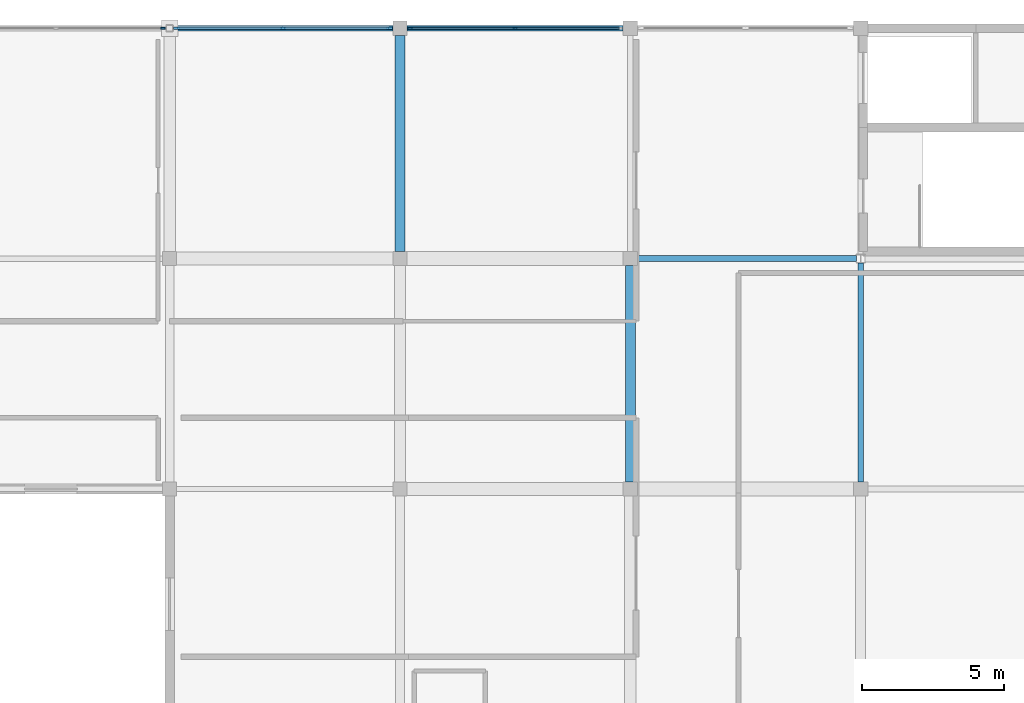
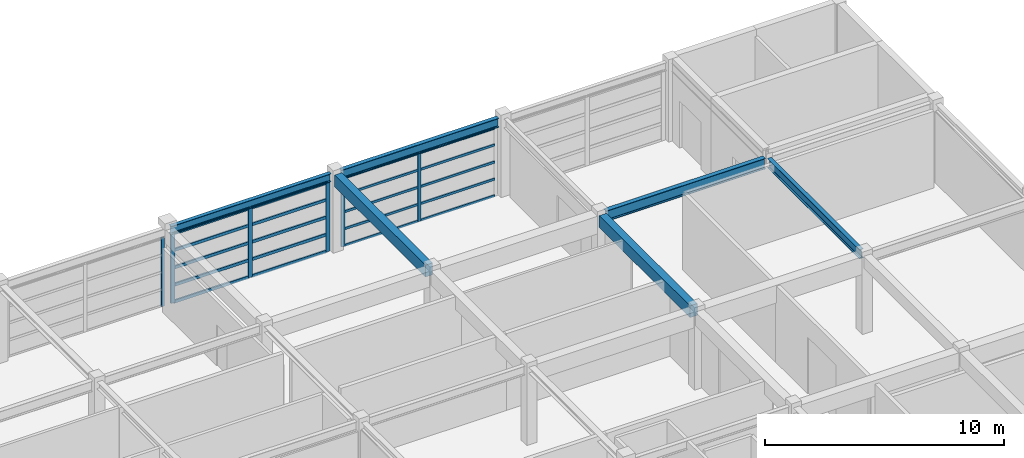
# One storey, part 12 of 19: 26 members, 6 beams, 3 elements without a shape of their own.
"""IFC4 building model written with IfcOpenShell, lengths in metres."""

from ifc_helpers import new_model, si_unit, direction, frame, origin, origin_2d, place, context, subcontext, project, spatial, rectangle, i_section, extrude, material, material_profile, profile_set, type_object, element, aggregate, save


model = new_model("IFC4")

# Units and contexts
model_context = context("Model", 3, precision=1e-05, world=origin(), true_north=direction((0.0, 1.0)))
body_context = subcontext(model_context, "Body", "Model", "MODEL_VIEW")
ifc_project = project(units=[si_unit("LENGTHUNIT", "METRE"), si_unit("AREAUNIT", "SQUARE_METRE"), si_unit("VOLUMEUNIT", "CUBIC_METRE"), si_unit("PLANEANGLEUNIT", "RADIAN"), si_unit("MASSUNIT", "GRAM", prefix="KILO")], contexts=[model_context])

# Site, building, storey
site_placement = place(None, origin())
site = spatial("IfcSite", under=ifc_project, at=site_placement, CompositionType="ELEMENT")
building_placement = place(site_placement, origin())
building = spatial("IfcBuilding", under=site, at=building_placement, Name="Parian Resonance Hall", CompositionType="ELEMENT")
storey_placement = place(building_placement, frame((0.0, 0.0, 23.39990234375)))
storey = spatial("IfcBuildingStorey", under=building, at=storey_placement, Name="L05", CompositionType="ELEMENT", Elevation=23.39990234375)

# Beams
ifc_material_1 = material(Name="Concrete C40/50", Category="concrete")
ifc_material_profile_1 = material_profile(ifc_material_1, rectangle(XDim=0.35009765625, YDim=0.60009765625, at=origin_2d()), Name="RC-BM-350x600")
ifc_profile_set_1 = profile_set([ifc_material_profile_1], Name="Concrete C40/50")
beam_type_1 = type_object("IfcBeamType", Name="BM-RC350x600", PredefinedType="BEAM", material=ifc_profile_set_1)
for number, where, z_axis, x_axis, name in (
    (1, (121.5, 81.25, 3.670166015625), (0.0, 1.0, 0.0), (-1.0, 0.0, 0.0), "GY-L05-1087"),
    (2, (129.60009765625, 73.14990234375, 3.670166015625), (0.0, 1.0, 0.0), (-1.0, 0.0, 0.0), "GY-L05-1091"),
):
    element("IfcBeam", number, at=place(storey_placement, frame(where, z_axis=z_axis, x_axis=x_axis)), inside=storey, type_object=beam_type_1, Name=name, PredefinedType="BEAM", context=body_context, shape_type="SweptSolid", body=[
        extrude(rectangle(XDim=0.35009765625, YDim=0.60009765625, at=origin_2d()), origin(), (0.0, 0.0, 1.0), 7.60009765625),
    ])
ifc_material_2 = material(Name="Steel S355", Category="steel")
ifc_material_profile_2 = material_profile(ifc_material_2, i_section(OverallWidth=0.180908203125, OverallDepth=0.4169921875, WebThickness=0.010986328125, FlangeThickness=0.018310546875, FilletRadius=0.01513671875, at=origin_2d()), Name="W410x85")
ifc_profile_set_2 = profile_set([ifc_material_profile_2], Name="Steel S355")
beam_type_2 = type_object("IfcBeamType", Name="BM-W410x85", PredefinedType="SPANDREL", material=ifc_profile_set_2)
beam_1_placement = place(storey_placement, frame((113.52490234375, 89.10009765625, 3.76171875), z_axis=(1.0, 0.0, 0.0), x_axis=(0.0, 1.0, 0.0)))
element("IfcBeam", 3, at=beam_1_placement, inside=storey, type_object=beam_type_2, Name="GX-L05-1043", PredefinedType="SPANDREL", context=body_context, shape_type="SweptSolid", body=[
    extrude(i_section(OverallWidth=0.180908203125, OverallDepth=0.4169921875, WebThickness=0.010986328125, FlangeThickness=0.018310546875, FilletRadius=0.01513671875, at=origin_2d()), origin(), (0.0, 0.0, 1.0), 7.72509765625),
])
ifc_material_3 = material(Name="Steel S355", Category="steel")
ifc_material_profile_3 = material_profile(ifc_material_3, i_section(OverallWidth=0.194091796875, OverallDepth=0.468994140625, WebThickness=0.0126953125, FlangeThickness=0.0205078125, FilletRadius=0.01513671875, at=origin_2d()), Name="W460x106")
ifc_profile_set_3 = profile_set([ifc_material_profile_3], Name="Steel S355")
beam_type_3 = type_object("IfcBeamType", Name="BM-W460x106", PredefinedType="SPANDREL", material=ifc_profile_set_3)
beam_2_placement = place(storey_placement, frame((121.75, 89.10009765625, 3.735595703125), z_axis=(1.0, 0.0, 0.0), x_axis=(0.0, 1.0, 0.0)))
element("IfcBeam", 4, at=beam_2_placement, inside=storey, type_object=beam_type_3, Name="GX-L05-1049", PredefinedType="SPANDREL", context=body_context, shape_type="SweptSolid", body=[
    extrude(i_section(OverallWidth=0.194091796875, OverallDepth=0.468994140625, WebThickness=0.0126953125, FlangeThickness=0.0205078125, FilletRadius=0.01513671875, at=origin_2d()), origin(), (0.0, 0.0, 1.0), 7.60009765625),
])
beam_3_placement = place(storey_placement, frame((137.699951171875, 73.14990234375, 3.735595703125), z_axis=(0.0, 1.0, 0.0), x_axis=(-1.0, 0.0, 0.0)))
element("IfcBeam", 5, at=beam_3_placement, inside=storey, type_object=beam_type_3, Name="GY-L05-1096", PredefinedType="SPANDREL", context=body_context, shape_type="SweptSolid", body=[
    extrude(i_section(OverallWidth=0.194091796875, OverallDepth=0.468994140625, WebThickness=0.0126953125, FlangeThickness=0.0205078125, FilletRadius=0.01513671875, at=origin_2d()), origin(), (0.0, 0.0, 1.0), 7.696044921875),
])
ifc_material_4 = material(Name="Steel S355", Category="steel")
ifc_material_profile_4 = material_profile(ifc_material_4, i_section(OverallWidth=0.2119140625, OverallDepth=0.5439453125, WebThickness=0.01318359375, FlangeThickness=0.021240234375, FilletRadius=0.017822265625, at=origin_2d()), Name="W530x123")
ifc_profile_set_4 = profile_set([ifc_material_profile_4], Name="Steel S355")
beam_type_4 = type_object("IfcBeamType", Name="BM-W530x123", PredefinedType="USERDEFINED", material=ifc_profile_set_4)
beam_4_placement = place(storey_placement, frame((129.85009765625, 81.0, 3.697998046875), z_axis=(1.0, 0.0, 0.0), x_axis=(0.0, 1.0, 0.0)))
element("IfcBeam", 6, at=beam_4_placement, inside=storey, type_object=beam_type_4, Name="GX-L05-1054", ObjectType="GIRDER", PredefinedType="USERDEFINED", context=body_context, shape_type="SweptSolid", body=[
    extrude(i_section(OverallWidth=0.2119140625, OverallDepth=0.5439453125, WebThickness=0.01318359375, FlangeThickness=0.021240234375, FilletRadius=0.017822265625, at=origin_2d()), origin(), (0.0, 0.0, 1.0), 7.697509765625),
])

# Curtain wall, member
ifc_material_5 = material(Name="Bronze-anodised aluminium frame", Category="aluminium")
curtain_wall_type_1 = type_object("IfcCurtainWallType", Name="CW-SYS-02", PredefinedType="NOTDEFINED", material=ifc_material_5)
curtain_wall_1_placement = place(storey_placement, origin())
curtain_wall_1 = element("IfcCurtainWall", 7, at=curtain_wall_1_placement, inside=storey, type_object=curtain_wall_type_1, Name="Curtain wall CW-L05-159", PredefinedType="NOTDEFINED")
ifc_material_6 = material(Name="Bronze-anodised aluminium frame", Category="aluminium")
ifc_material_profile_5 = material_profile(ifc_material_6, rectangle(XDim=0.06494140625, YDim=0.159912109375, at=origin_2d()), Name="CWM-65x160")
ifc_profile_set_5 = profile_set([ifc_material_profile_5], Name="Bronze-anodised aluminium frame")
member_type_1 = type_object("IfcMemberType", Name="CWM-65x160", PredefinedType="MULLION", material=ifc_profile_set_5)
member_1_placement = place(storey_placement, frame((113.16259765625, 89.10009765625, -0.0078125), z_axis=(0.0, 0.0, 1.0), x_axis=(0.0, 1.0, 0.0)))
member_1 = element("IfcMember", 8, at=member_1_placement, type_object=member_type_1, Name="CW-02 mullion 3", PredefinedType="MULLION", context=body_context, shape_type="SweptSolid", body=[
    extrude(rectangle(XDim=0.06494140625, YDim=0.159912109375, at=origin_2d()), origin(), (0.0, 0.0, 1.0), 3.512939453125),
])
aggregate(curtain_wall_1, [member_1])

# Curtain wall, members
ifc_material_7 = material(Name="Bronze-anodised aluminium frame", Category="aluminium")
curtain_wall_type_2 = type_object("IfcCurtainWallType", Name="CW-SYS-04", PredefinedType="NOTDEFINED", material=ifc_material_7)
curtain_wall_2_placement = place(storey_placement, origin())
curtain_wall_2 = element("IfcCurtainWall", 9, at=curtain_wall_2_placement, inside=storey, type_object=curtain_wall_type_2, Name="Curtain wall CW-L05-161", PredefinedType="NOTDEFINED")
member_2_placement = place(storey_placement, frame((121.862548828125, 89.10009765625, -0.0078125), z_axis=(0.0, 0.0, 1.0), x_axis=(0.0, 1.0, 0.0)))
member_2 = element("IfcMember", 10, at=member_2_placement, type_object=member_type_1, Name="CW-04 mullion 1", PredefinedType="MULLION", context=body_context, shape_type="SweptSolid", body=[
    extrude(rectangle(XDim=0.06494140625, YDim=0.159912109375, at=origin_2d()), origin(), (0.0, 0.0, 1.0), 3.512939453125),
])
member_3_placement = place(storey_placement, frame((125.550048828125, 89.10009765625, -0.0078125), z_axis=(0.0, 0.0, 1.0), x_axis=(0.0, 1.0, 0.0)))
member_3 = element("IfcMember", 11, at=member_3_placement, type_object=member_type_1, Name="CW-04 mullion 2", PredefinedType="MULLION", context=body_context, shape_type="SweptSolid", body=[
    extrude(rectangle(XDim=0.06494140625, YDim=0.159912109375, at=origin_2d()), origin(), (0.0, 0.0, 1.0), 3.512939453125),
])

ifc_material_8 = material(Name="Bronze-anodised aluminium frame", Category="aluminium")
curtain_wall_type_3 = type_object("IfcCurtainWallType", Name="CW-SYS-03", PredefinedType="NOTDEFINED", material=ifc_material_8)
curtain_wall_3_placement = place(storey_placement, origin())
curtain_wall_3 = element("IfcCurtainWall", 12, at=curtain_wall_3_placement, inside=storey, type_object=curtain_wall_type_3, Name="Curtain wall CW-L05-160", PredefinedType="NOTDEFINED")
ifc_material_9 = material(Name="Bronze-anodised aluminium frame", Category="aluminium")
ifc_material_profile_6 = material_profile(ifc_material_9, rectangle(XDim=0.074951171875, YDim=0.199951171875, at=origin_2d()), Name="CWM-75x200")
ifc_profile_set_6 = profile_set([ifc_material_profile_6], Name="Bronze-anodised aluminium frame")
member_type_2 = type_object("IfcMemberType", Name="CWM-75x200", PredefinedType="MULLION", material=ifc_profile_set_6)
member_4_placement = place(storey_placement, frame((113.642578125, 89.10009765625, -0.0078125), z_axis=(0.0, 0.0, 1.0), x_axis=(0.0, 1.0, 0.0)))
member_4 = element("IfcMember", 13, at=member_4_placement, type_object=member_type_2, Name="CW-03 mullion 1", PredefinedType="MULLION", context=body_context, shape_type="SweptSolid", body=[
    extrude(rectangle(XDim=0.074951171875, YDim=0.199951171875, at=origin_2d()), origin(), (0.0, 0.0, 1.0), 3.56494140625),
])
member_5_placement = place(storey_placement, frame((117.387451171875, 89.10009765625, -0.0078125), z_axis=(0.0, 0.0, 1.0), x_axis=(0.0, 1.0, 0.0)))
member_5 = element("IfcMember", 14, at=member_5_placement, type_object=member_type_2, Name="CW-03 mullion 2", PredefinedType="MULLION", context=body_context, shape_type="SweptSolid", body=[
    extrude(rectangle(XDim=0.074951171875, YDim=0.199951171875, at=origin_2d()), origin(), (0.0, 0.0, 1.0), 3.56494140625),
])
member_6_placement = place(storey_placement, frame((121.132568359375, 89.10009765625, -0.0078125), z_axis=(0.0, 0.0, 1.0), x_axis=(0.0, 1.0, 0.0)))
member_6 = element("IfcMember", 15, at=member_6_placement, type_object=member_type_2, Name="CW-03 mullion 3", PredefinedType="MULLION", context=body_context, shape_type="SweptSolid", body=[
    extrude(rectangle(XDim=0.074951171875, YDim=0.199951171875, at=origin_2d()), origin(), (0.0, 0.0, 1.0), 3.56494140625),
])

# Member
ifc_material_10 = material(Name="Bronze-anodised aluminium frame", Category="aluminium")
ifc_material_profile_7 = material_profile(ifc_material_10, rectangle(XDim=0.06494140625, YDim=0.1201171875, at=origin_2d()), Name="CWT-65x120")
ifc_profile_set_7 = profile_set([ifc_material_profile_7], Name="Bronze-anodised aluminium frame")
member_type_3 = type_object("IfcMemberType", Name="CWT-65x120", PredefinedType="USERDEFINED", material=ifc_profile_set_7)
member_7_placement = place(storey_placement, frame((121.89501953125, 89.10009765625, 0.024658203125), z_axis=(1.0, 0.0, 0.0), x_axis=(0.0, 1.0, 0.0)))
member_7 = element("IfcMember", 16, at=member_7_placement, type_object=member_type_3, Name="CW-04 transom 1.1", ObjectType="TRANSOM", PredefinedType="USERDEFINED", context=body_context, shape_type="SweptSolid", body=[
    extrude(rectangle(XDim=0.06494140625, YDim=0.1201171875, at=origin_2d()), origin(), (0.0, 0.0, 1.0), 3.62255859375),
])

member_8_placement = place(storey_placement, frame((121.89501953125, 89.10009765625, 0.873779296875), z_axis=(1.0, 0.0, 0.0), x_axis=(0.0, 1.0, 0.0)))
member_8 = element("IfcMember", 17, at=member_8_placement, type_object=member_type_3, Name="CW-04 transom 1.2", ObjectType="TRANSOM", PredefinedType="USERDEFINED", context=body_context, shape_type="SweptSolid", body=[
    extrude(rectangle(XDim=0.06494140625, YDim=0.1201171875, at=origin_2d()), origin(), (0.0, 0.0, 1.0), 3.62255859375),
])

member_9_placement = place(storey_placement, frame((121.89501953125, 89.10009765625, 1.74755859375), z_axis=(1.0, 0.0, 0.0), x_axis=(0.0, 1.0, 0.0)))
member_9 = element("IfcMember", 18, at=member_9_placement, type_object=member_type_3, Name="CW-04 transom 1.3", ObjectType="TRANSOM", PredefinedType="USERDEFINED", context=body_context, shape_type="SweptSolid", body=[
    extrude(rectangle(XDim=0.06494140625, YDim=0.1201171875, at=origin_2d()), origin(), (0.0, 0.0, 1.0), 3.62255859375),
])

member_10_placement = place(storey_placement, frame((121.89501953125, 89.10009765625, 2.621337890625), z_axis=(1.0, 0.0, 0.0), x_axis=(0.0, 1.0, 0.0)))
member_10 = element("IfcMember", 19, at=member_10_placement, type_object=member_type_3, Name="CW-04 transom 1.4", ObjectType="TRANSOM", PredefinedType="USERDEFINED", context=body_context, shape_type="SweptSolid", body=[
    extrude(rectangle(XDim=0.06494140625, YDim=0.1201171875, at=origin_2d()), origin(), (0.0, 0.0, 1.0), 3.62255859375),
])

member_11_placement = place(storey_placement, frame((121.89501953125, 89.10009765625, 3.47265625), z_axis=(1.0, 0.0, 0.0), x_axis=(0.0, 1.0, 0.0)))
member_11 = element("IfcMember", 20, at=member_11_placement, type_object=member_type_3, Name="CW-04 transom 1.5", ObjectType="TRANSOM", PredefinedType="USERDEFINED", context=body_context, shape_type="SweptSolid", body=[
    extrude(rectangle(XDim=0.06494140625, YDim=0.1201171875, at=origin_2d()), origin(), (0.0, 0.0, 1.0), 3.62255859375),
])

member_12_placement = place(storey_placement, frame((125.58251953125, 89.10009765625, 0.024658203125), z_axis=(1.0, 0.0, 0.0), x_axis=(0.0, 1.0, 0.0)))
member_12 = element("IfcMember", 21, at=member_12_placement, type_object=member_type_3, Name="CW-04 transom 2.1", ObjectType="TRANSOM", PredefinedType="USERDEFINED", context=body_context, shape_type="SweptSolid", body=[
    extrude(rectangle(XDim=0.06494140625, YDim=0.1201171875, at=origin_2d()), origin(), (0.0, 0.0, 1.0), 3.62255859375),
])

member_13_placement = place(storey_placement, frame((125.58251953125, 89.10009765625, 0.873779296875), z_axis=(1.0, 0.0, 0.0), x_axis=(0.0, 1.0, 0.0)))
member_13 = element("IfcMember", 22, at=member_13_placement, type_object=member_type_3, Name="CW-04 transom 2.2", ObjectType="TRANSOM", PredefinedType="USERDEFINED", context=body_context, shape_type="SweptSolid", body=[
    extrude(rectangle(XDim=0.06494140625, YDim=0.1201171875, at=origin_2d()), origin(), (0.0, 0.0, 1.0), 3.62255859375),
])

member_14_placement = place(storey_placement, frame((125.58251953125, 89.10009765625, 1.74755859375), z_axis=(1.0, 0.0, 0.0), x_axis=(0.0, 1.0, 0.0)))
member_14 = element("IfcMember", 23, at=member_14_placement, type_object=member_type_3, Name="CW-04 transom 2.3", ObjectType="TRANSOM", PredefinedType="USERDEFINED", context=body_context, shape_type="SweptSolid", body=[
    extrude(rectangle(XDim=0.06494140625, YDim=0.1201171875, at=origin_2d()), origin(), (0.0, 0.0, 1.0), 3.62255859375),
])

member_15_placement = place(storey_placement, frame((125.58251953125, 89.10009765625, 2.621337890625), z_axis=(1.0, 0.0, 0.0), x_axis=(0.0, 1.0, 0.0)))
member_15 = element("IfcMember", 24, at=member_15_placement, type_object=member_type_3, Name="CW-04 transom 2.4", ObjectType="TRANSOM", PredefinedType="USERDEFINED", context=body_context, shape_type="SweptSolid", body=[
    extrude(rectangle(XDim=0.06494140625, YDim=0.1201171875, at=origin_2d()), origin(), (0.0, 0.0, 1.0), 3.62255859375),
])

member_16_placement = place(storey_placement, frame((125.58251953125, 89.10009765625, 3.47265625), z_axis=(1.0, 0.0, 0.0), x_axis=(0.0, 1.0, 0.0)))
member_16 = element("IfcMember", 25, at=member_16_placement, type_object=member_type_3, Name="CW-04 transom 2.5", ObjectType="TRANSOM", PredefinedType="USERDEFINED", context=body_context, shape_type="SweptSolid", body=[
    extrude(rectangle(XDim=0.06494140625, YDim=0.1201171875, at=origin_2d()), origin(), (0.0, 0.0, 1.0), 3.62255859375),
])

aggregate(curtain_wall_2, [member_2, member_3, member_7, member_8, member_9, member_10, member_11, member_12, member_13, member_14, member_15, member_16])

ifc_material_11 = material(Name="Bronze-anodised aluminium frame", Category="aluminium")
ifc_material_profile_8 = material_profile(ifc_material_11, rectangle(XDim=0.074951171875, YDim=0.14990234375, at=origin_2d()), Name="CWT-75x150")
ifc_profile_set_8 = profile_set([ifc_material_profile_8], Name="Bronze-anodised aluminium frame")
member_type_4 = type_object("IfcMemberType", Name="CWT-75x150", PredefinedType="USERDEFINED", material=ifc_profile_set_8)
member_17_placement = place(storey_placement, frame((113.679931640625, 89.10009765625, 0.029541015625), z_axis=(1.0, 0.0, 0.0), x_axis=(0.0, 1.0, 0.0)))
member_17 = element("IfcMember", 26, at=member_17_placement, type_object=member_type_4, Name="CW-03 transom 1.1", ObjectType="TRANSOM", PredefinedType="USERDEFINED", context=body_context, shape_type="SweptSolid", body=[
    extrude(rectangle(XDim=0.074951171875, YDim=0.14990234375, at=origin_2d()), origin(), (0.0, 0.0, 1.0), 3.670166015625),
])

member_18_placement = place(storey_placement, frame((113.679931640625, 89.10009765625, 0.88671875), z_axis=(1.0, 0.0, 0.0), x_axis=(0.0, 1.0, 0.0)))
member_18 = element("IfcMember", 27, at=member_18_placement, type_object=member_type_4, Name="CW-03 transom 1.2", ObjectType="TRANSOM", PredefinedType="USERDEFINED", context=body_context, shape_type="SweptSolid", body=[
    extrude(rectangle(XDim=0.074951171875, YDim=0.14990234375, at=origin_2d()), origin(), (0.0, 0.0, 1.0), 3.670166015625),
])

member_19_placement = place(storey_placement, frame((113.679931640625, 89.10009765625, 1.773681640625), z_axis=(1.0, 0.0, 0.0), x_axis=(0.0, 1.0, 0.0)))
member_19 = element("IfcMember", 28, at=member_19_placement, type_object=member_type_4, Name="CW-03 transom 1.3", ObjectType="TRANSOM", PredefinedType="USERDEFINED", context=body_context, shape_type="SweptSolid", body=[
    extrude(rectangle(XDim=0.074951171875, YDim=0.14990234375, at=origin_2d()), origin(), (0.0, 0.0, 1.0), 3.670166015625),
])

member_20_placement = place(storey_placement, frame((113.679931640625, 89.10009765625, 2.660400390625), z_axis=(1.0, 0.0, 0.0), x_axis=(0.0, 1.0, 0.0)))
member_20 = element("IfcMember", 29, at=member_20_placement, type_object=member_type_4, Name="CW-03 transom 1.4", ObjectType="TRANSOM", PredefinedType="USERDEFINED", context=body_context, shape_type="SweptSolid", body=[
    extrude(rectangle(XDim=0.074951171875, YDim=0.14990234375, at=origin_2d()), origin(), (0.0, 0.0, 1.0), 3.670166015625),
])

member_21_placement = place(storey_placement, frame((113.679931640625, 89.10009765625, 3.51953125), z_axis=(1.0, 0.0, 0.0), x_axis=(0.0, 1.0, 0.0)))
member_21 = element("IfcMember", 30, at=member_21_placement, type_object=member_type_4, Name="CW-03 transom 1.5", ObjectType="TRANSOM", PredefinedType="USERDEFINED", context=body_context, shape_type="SweptSolid", body=[
    extrude(rectangle(XDim=0.074951171875, YDim=0.14990234375, at=origin_2d()), origin(), (0.0, 0.0, 1.0), 3.670166015625),
])

member_22_placement = place(storey_placement, frame((117.425048828125, 89.10009765625, 0.029541015625), z_axis=(1.0, 0.0, 0.0), x_axis=(0.0, 1.0, 0.0)))
member_22 = element("IfcMember", 31, at=member_22_placement, type_object=member_type_4, Name="CW-03 transom 2.1", ObjectType="TRANSOM", PredefinedType="USERDEFINED", context=body_context, shape_type="SweptSolid", body=[
    extrude(rectangle(XDim=0.074951171875, YDim=0.14990234375, at=origin_2d()), origin(), (0.0, 0.0, 1.0), 3.669921875),
])

member_23_placement = place(storey_placement, frame((117.425048828125, 89.10009765625, 0.88671875), z_axis=(1.0, 0.0, 0.0), x_axis=(0.0, 1.0, 0.0)))
member_23 = element("IfcMember", 32, at=member_23_placement, type_object=member_type_4, Name="CW-03 transom 2.2", ObjectType="TRANSOM", PredefinedType="USERDEFINED", context=body_context, shape_type="SweptSolid", body=[
    extrude(rectangle(XDim=0.074951171875, YDim=0.14990234375, at=origin_2d()), origin(), (0.0, 0.0, 1.0), 3.669921875),
])

member_24_placement = place(storey_placement, frame((117.425048828125, 89.10009765625, 1.773681640625), z_axis=(1.0, 0.0, 0.0), x_axis=(0.0, 1.0, 0.0)))
member_24 = element("IfcMember", 33, at=member_24_placement, type_object=member_type_4, Name="CW-03 transom 2.3", ObjectType="TRANSOM", PredefinedType="USERDEFINED", context=body_context, shape_type="SweptSolid", body=[
    extrude(rectangle(XDim=0.074951171875, YDim=0.14990234375, at=origin_2d()), origin(), (0.0, 0.0, 1.0), 3.669921875),
])

member_25_placement = place(storey_placement, frame((117.425048828125, 89.10009765625, 2.660400390625), z_axis=(1.0, 0.0, 0.0), x_axis=(0.0, 1.0, 0.0)))
member_25 = element("IfcMember", 34, at=member_25_placement, type_object=member_type_4, Name="CW-03 transom 2.4", ObjectType="TRANSOM", PredefinedType="USERDEFINED", context=body_context, shape_type="SweptSolid", body=[
    extrude(rectangle(XDim=0.074951171875, YDim=0.14990234375, at=origin_2d()), origin(), (0.0, 0.0, 1.0), 3.669921875),
])

member_26_placement = place(storey_placement, frame((117.425048828125, 89.10009765625, 3.51953125), z_axis=(1.0, 0.0, 0.0), x_axis=(0.0, 1.0, 0.0)))
member_26 = element("IfcMember", 35, at=member_26_placement, type_object=member_type_4, Name="CW-03 transom 2.5", ObjectType="TRANSOM", PredefinedType="USERDEFINED", context=body_context, shape_type="SweptSolid", body=[
    extrude(rectangle(XDim=0.074951171875, YDim=0.14990234375, at=origin_2d()), origin(), (0.0, 0.0, 1.0), 3.669921875),
])

aggregate(curtain_wall_3, [member_4, member_5, member_6, member_17, member_18, member_19, member_20, member_21, member_22, member_23, member_24, member_25, member_26])

save(model, "model.ifc")
